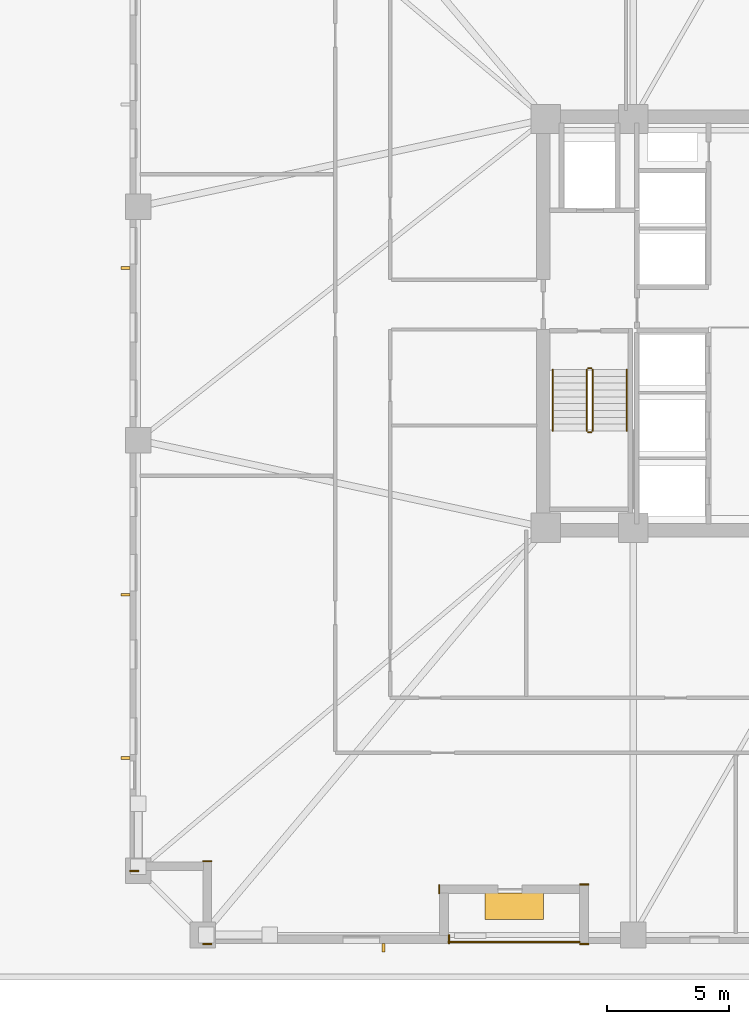
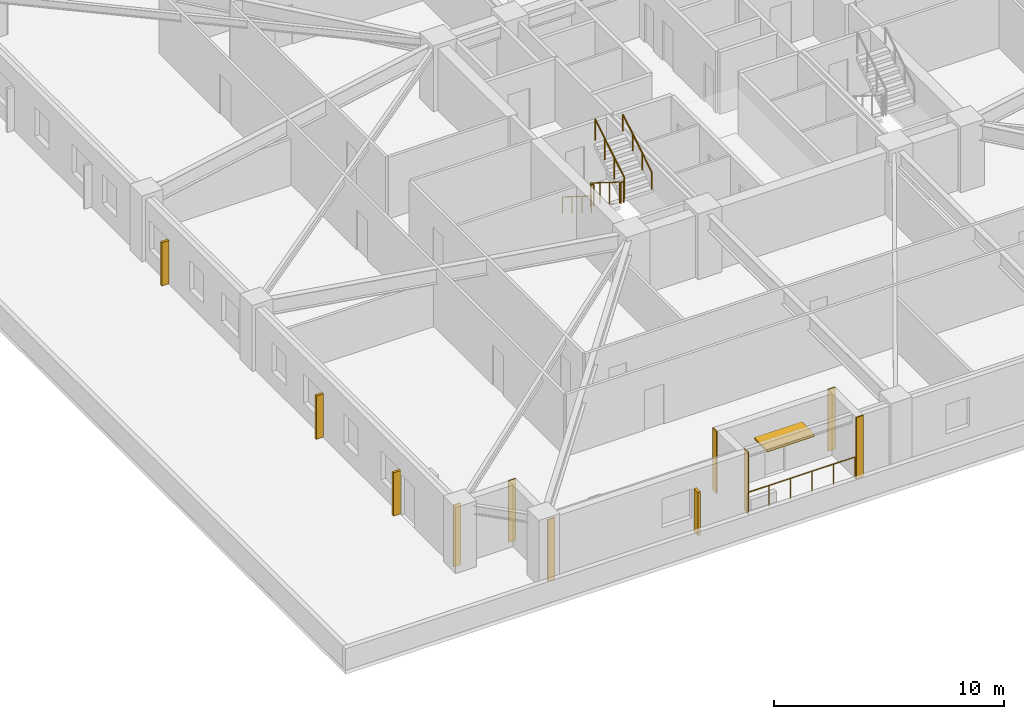
# One storey, part 8 of 12: 7 coverings, 7 railings, 5 shading devices.
"""IFC4 building model written with IfcOpenShell, lengths in metres."""

from ifc_helpers import new_model, si_unit, direction, frame, frame_2d, origin, origin_2d, place, context, subcontext, project, spatial, rectangle, circle, extrude, material, layer, layer_set, type_object, element, save


model = new_model("IFC4")

# Units and contexts
model_context = context("Model", 3, precision=1e-05, world=origin(), true_north=direction((0.0, 1.0)))
body_context = subcontext(model_context, "Body", "Model", "MODEL_VIEW")
ifc_project = project(units=[si_unit("LENGTHUNIT", "METRE"), si_unit("AREAUNIT", "SQUARE_METRE"), si_unit("VOLUMEUNIT", "CUBIC_METRE"), si_unit("PLANEANGLEUNIT", "RADIAN"), si_unit("MASSUNIT", "GRAM", prefix="KILO")], contexts=[model_context])

# Site, building, storey
site_placement = place(None, origin())
site = spatial("IfcSite", under=ifc_project, at=site_placement, CompositionType="ELEMENT")
building_placement = place(site_placement, origin())
building = spatial("IfcBuilding", under=site, at=building_placement, Name="Cairnveth Concourse Tower", CompositionType="ELEMENT")
storey_placement = place(building_placement, frame((0.0, 0.0, 23.5)))
storey = spatial("IfcBuildingStorey", under=building, at=storey_placement, Name="L05", CompositionType="ELEMENT", Elevation=23.5)

# Coverings
ifc_material_1 = material(Name="Dressed Melbourne Bluestone Cladding", Category="masonry")
ifc_layer = layer(ifc_material_1, 0.050048828125)
ifc_layer_set = layer_set([ifc_layer], Name="Dressed Melbourne Bluestone Cladding")
covering_type = type_object("IfcCoveringType", Name="DRESSED BLUESTONE PLINTH CLADDING 50", PredefinedType="CLADDING", material=ifc_layer_set)
for number, where, z_axis, x_axis, name in (
    (1, (39.6201171875, 13.860107421875, 0.0), (0.0, 0.0, 1.0), (0.0, -1.0, 0.0), "Melbourne Bluestone Corner Quoin L05-23"),
    (2, (29.860107421875, 13.47998046875, 0.0), (0.0, 0.0, 1.0), (-1.0, 0.0, 0.0), "Melbourne Bluestone Corner Quoin L05-24"),
    (3, (29.860107421875, 16.8798828125, 0.0), (0.0, 0.0, 1.0), (-1.0, 0.0, 0.0), "Melbourne Bluestone Corner Quoin L05-25"),
    (4, (26.860107421875, 16.47998046875, 0.0), (0.0, 0.0, 1.0), (-1.0, 0.0, 0.0), "Melbourne Bluestone Corner Quoin L05-26"),
    (5, (45.360107421875, 13.47998046875, 0.0), (0.0, 0.0, 1.0), (-1.0, 0.0, 0.0), "Melbourne Bluestone Corner Quoin L05-36"),
    (6, (45.360107421875, 15.929931640625, 0.0), (0.0, 0.0, 1.0), (-1.0, 0.0, 0.0), "Melbourne Bluestone Corner Quoin L05-37"),
):
    element("IfcCovering", number, at=place(storey_placement, frame(where, z_axis=z_axis, x_axis=x_axis)), inside=storey, type_object=covering_type, Name=name, PredefinedType="CLADDING", context=body_context, shape_type="SweptSolid", body=[
        extrude(rectangle(XDim=0.360107421875, YDim=0.050048828125, at=frame_2d((0.18017578125, 0.0))), origin(), (0.0, 0.0, 1.0), 3.280029296875),
    ])
covering_placement = place(storey_placement, frame((39.219970703125, 15.909912109375, 0.0), z_axis=(0.0, 0.0, 1.0), x_axis=(0.0, -1.0, 0.0)))
element("IfcCovering", 7, at=covering_placement, inside=storey, type_object=covering_type, Name="Melbourne Bluestone Corner Quoin L05-38", PredefinedType="CLADDING", context=body_context, shape_type="SweptSolid", body=[
    extrude(rectangle(XDim=0.35986328125, YDim=0.050048828125, at=frame_2d((0.179931640625, 0.0))), origin(), (0.0, 0.0, 1.0), 3.280029296875),
])

# Shading devices
ifc_material_2 = material(Name="Architectural Bronze Anodised Aluminium 6063-T6", Category="aluminium")
shading_device_type_1 = type_object("IfcShadingDeviceType", Name="GOTHIC BRONZE VERTICAL LANCET FIN", PredefinedType="USERDEFINED", material=ifc_material_2)
for number, where, z_axis, x_axis, name in (
    (8, (36.928955078125, 13.324951171875, 0.02978515625), (0.0, 0.0, 1.0), (1.0, 0.0, 0.0), "Gothic Bronze Vertical Fin L05-0-1"),
    (9, (26.324951171875, 21.1201171875, 0.02978515625), (0.0, 0.0, 1.0), (0.0, 1.0, 0.0), "Gothic Bronze Vertical Fin L05-3-1"),
    (10, (26.324951171875, 27.840576171875, 0.02978515625), (0.0, 0.0, 1.0), (0.0, 1.0, 0.0), "Gothic Bronze Vertical Fin L05-3-3"),
    (11, (26.324951171875, 41.28125, 0.02978515625), (0.0, 0.0, 1.0), (0.0, 1.0, 0.0), "Gothic Bronze Vertical Fin L05-3-7"),
):
    element("IfcShadingDevice", number, at=place(storey_placement, frame(where, z_axis=z_axis, x_axis=x_axis)), inside=storey, type_object=shading_device_type_1, Name=name, ObjectType="VERTICAL FIN", PredefinedType="USERDEFINED", context=body_context, shape_type="SweptSolid", body=[
        extrude(rectangle(XDim=0.1201171875, YDim=0.360107421875, at=origin_2d()), origin(), (0.0, 0.0, 1.0), 2.303955078125),
    ])
shading_device_type_2 = type_object("IfcShadingDeviceType", Name="SPIRAL TERRACE SUNSHADE CANOPY", PredefinedType="USERDEFINED", material=ifc_material_2)
shading_device_placement = place(storey_placement, frame((42.300048828125, 15.030029296875, 2.183837890625), z_axis=(0.0, 0.0, 1.0), x_axis=(1.0, 0.0, 0.0)))
element("IfcShadingDevice", 12, at=shading_device_placement, inside=storey, type_object=shading_device_type_2, Name="Spiral Terrace Sunshade L05", ObjectType="TERRACE SUNSHADE", PredefinedType="USERDEFINED", context=body_context, shape_type="SweptSolid", body=[
    extrude(rectangle(XDim=2.39990234375, YDim=1.10009765625, at=origin_2d()), origin(), (0.0, 0.0, 1.0), 0.1201171875),
])

# Railings
ifc_material_3 = material(Name="Steel Grade 350", Category="steel")
railing_type_1 = type_object("IfcRailingType", Name="STAIR GUARDRAIL 1150", PredefinedType="GUARDRAIL", material=ifc_material_3)
railing_1_placement = place(storey_placement, frame((45.2900390625, 37.10009765625, 0.175048828125)))
element("IfcRailing", 13, at=railing_1_placement, inside=storey, type_object=railing_type_1, Name="L05 ST-1 stair guard 1", PredefinedType="GUARDRAIL", context=body_context, shape_type="SweptSolid", body=[
    extrude(circle(Radius=0.02392578125, at=origin_2d()), frame((0.0, 0.0, 1.1259765625), z_axis=(0.0, -0.848007534815, 0.529984170421), x_axis=(1.0, 0.0, 0.0)), (0.0, 0.0, 1.0), 2.9716796875),
    extrude(circle(Radius=0.02099609375, at=origin_2d()), origin(), (0.0, 0.0, 1.0), 1.101806640625),
    extrude(circle(Radius=0.02099609375, at=origin_2d()), frame((0.0, -0.840087890625, 0.52490234375)), (0.0, 0.0, 1.0), 1.101806640625),
    extrude(circle(Radius=0.02099609375, at=origin_2d()), frame((0.0, -1.679931640625, 1.050048828125)), (0.0, 0.0, 1.0), 1.101806640625),
    extrude(circle(Radius=0.02099609375, at=origin_2d()), frame((0.0, -2.52001953125, 1.574951171875)), (0.0, 0.0, 1.0), 1.101806640625),
])
railing_2_placement = place(storey_placement, frame((45.340087890625, 34.530029296875, 1.75)))
element("IfcRailing", 14, at=railing_2_placement, inside=storey, type_object=railing_type_1, Name="L05 ST-1 stair guard 2", PredefinedType="GUARDRAIL", context=body_context, shape_type="SweptSolid", body=[
    extrude(circle(Radius=0.02392578125, at=origin_2d()), frame((0.0, 0.0, 1.1259765625), z_axis=(1.0, 0.0, 0.0), x_axis=(0.0, 1.0, 0.0)), (0.0, 0.0, 1.0), 0.139892578125),
    extrude(circle(Radius=0.02099609375, at=origin_2d()), origin(), (0.0, 0.0, 1.0), 1.101806640625),
    extrude(circle(Radius=0.02099609375, at=origin_2d()), frame((0.139892578125, 0.0, 0.0)), (0.0, 0.0, 1.0), 1.101806640625),
])
railing_3_placement = place(storey_placement, frame((45.530029296875, 34.580078125, 1.925048828125)))
element("IfcRailing", 15, at=railing_3_placement, inside=storey, type_object=railing_type_1, Name="L05 ST-1 stair guard 3", PredefinedType="GUARDRAIL", context=body_context, shape_type="SweptSolid", body=[
    extrude(circle(Radius=0.02392578125, at=origin_2d()), frame((0.0, 0.0, 1.1259765625), z_axis=(0.0, 0.848007534815, 0.529984170421), x_axis=(-1.0, 0.0, 0.0)), (0.0, 0.0, 1.0), 2.9716796875),
    extrude(circle(Radius=0.02099609375, at=origin_2d()), origin(), (0.0, 0.0, 1.0), 1.101806640625),
    extrude(circle(Radius=0.02099609375, at=origin_2d()), frame((0.0, 0.840087890625, 0.52490234375)), (0.0, 0.0, 1.0), 1.101806640625),
    extrude(circle(Radius=0.02099609375, at=origin_2d()), frame((0.0, 1.679931640625, 1.050048828125)), (0.0, 0.0, 1.0), 1.101806640625),
    extrude(circle(Radius=0.02099609375, at=origin_2d()), frame((0.0, 2.52001953125, 1.574951171875)), (0.0, 0.0, 1.0), 1.101806640625),
])
railing_4_placement = place(storey_placement, frame((45.340087890625, 37.14990234375, 0.0)))
element("IfcRailing", 16, at=railing_4_placement, inside=storey, type_object=railing_type_1, Name="L05 ST-1 stair guard 4", PredefinedType="GUARDRAIL", context=body_context, shape_type="SweptSolid", body=[
    extrude(circle(Radius=0.02392578125, at=origin_2d()), frame((0.0, 0.0, 1.1259765625), z_axis=(1.0, 0.0, 0.0), x_axis=(0.0, 1.0, 0.0)), (0.0, 0.0, 1.0), 0.139892578125),
    extrude(circle(Radius=0.02099609375, at=origin_2d()), origin(), (0.0, 0.0, 1.0), 1.101806640625),
    extrude(circle(Radius=0.02099609375, at=origin_2d()), frame((0.139892578125, 0.0, 0.0)), (0.0, 0.0, 1.0), 1.101806640625),
])
railing_type_2 = type_object("IfcRailingType", Name="STAIR WALL HANDRAIL 900", PredefinedType="HANDRAIL", material=ifc_material_3)
railing_5_placement = place(storey_placement, frame((43.889892578125, 37.10009765625, 0.175048828125)))
element("IfcRailing", 17, at=railing_5_placement, inside=storey, type_object=railing_type_2, Name="L05 ST-1 stair handrail 1", PredefinedType="HANDRAIL", context=body_context, shape_type="SweptSolid", body=[
    extrude(circle(Radius=0.02392578125, at=origin_2d()), frame((0.0, 0.0, 0.8759765625), z_axis=(0.0, -0.848007534815, 0.529984170421), x_axis=(1.0, 0.0, 0.0)), (0.0, 0.0, 1.0), 2.9716796875),
    extrude(circle(Radius=0.02099609375, at=origin_2d()), origin(), (0.0, 0.0, 1.0), 0.851806640625),
    extrude(circle(Radius=0.02099609375, at=origin_2d()), frame((0.0, -0.840087890625, 0.52490234375)), (0.0, 0.0, 1.0), 0.851806640625),
    extrude(circle(Radius=0.02099609375, at=origin_2d()), frame((0.0, -1.679931640625, 1.050048828125)), (0.0, 0.0, 1.0), 0.851806640625),
    extrude(circle(Radius=0.02099609375, at=origin_2d()), frame((0.0, -2.52001953125, 1.574951171875)), (0.0, 0.0, 1.0), 0.851806640625),
])
railing_6_placement = place(storey_placement, frame((46.929931640625, 34.580078125, 1.925048828125)))
element("IfcRailing", 18, at=railing_6_placement, inside=storey, type_object=railing_type_2, Name="L05 ST-1 stair handrail 2", PredefinedType="HANDRAIL", context=body_context, shape_type="SweptSolid", body=[
    extrude(circle(Radius=0.02392578125, at=origin_2d()), frame((0.0, 0.0, 0.8759765625), z_axis=(0.0, 0.848007534815, 0.529984170421), x_axis=(-1.0, 0.0, 0.0)), (0.0, 0.0, 1.0), 2.9716796875),
    extrude(circle(Radius=0.02099609375, at=origin_2d()), origin(), (0.0, 0.0, 1.0), 0.851806640625),
    extrude(circle(Radius=0.02099609375, at=origin_2d()), frame((0.0, 0.840087890625, 0.52490234375)), (0.0, 0.0, 1.0), 0.851806640625),
    extrude(circle(Radius=0.02099609375, at=origin_2d()), frame((0.0, 1.679931640625, 1.050048828125)), (0.0, 0.0, 1.0), 0.851806640625),
    extrude(circle(Radius=0.02099609375, at=origin_2d()), frame((0.0, 2.52001953125, 1.574951171875)), (0.0, 0.0, 1.0), 0.851806640625),
])
railing_type_3 = type_object("IfcRailingType", Name="TERRACE BRONZE BALUSTRADE 1150", PredefinedType="BALUSTRADE", material=ifc_material_2)
railing_7_placement = place(storey_placement, frame((39.60009765625, 13.56005859375, 0.0)))
element("IfcRailing", 19, at=railing_7_placement, inside=storey, type_object=railing_type_3, Name="Terrace Balustrade RL-L05-TERR", PredefinedType="BALUSTRADE", context=body_context, shape_type="SweptSolid", body=[
    extrude(circle(Radius=0.02490234375, at=origin_2d()), frame((0.0, 0.0, 1.125), z_axis=(1.0, 0.0, 0.0), x_axis=(0.0, 1.0, 0.0)), (0.0, 0.0, 1.0), 5.39990234375),
    extrude(circle(Radius=0.02099609375, at=origin_2d()), origin(), (0.0, 0.0, 1.0), 1.099853515625),
    extrude(circle(Radius=0.02099609375, at=origin_2d()), frame((1.080078125, 0.0, 0.0)), (0.0, 0.0, 1.0), 1.099853515625),
    extrude(circle(Radius=0.02099609375, at=origin_2d()), frame((2.159912109375, 0.0, 0.0)), (0.0, 0.0, 1.0), 1.099853515625),
    extrude(circle(Radius=0.02099609375, at=origin_2d()), frame((3.239990234375, 0.0, 0.0)), (0.0, 0.0, 1.0), 1.099853515625),
    extrude(circle(Radius=0.02099609375, at=origin_2d()), frame((4.31982421875, 0.0, 0.0)), (0.0, 0.0, 1.0), 1.099853515625),
    extrude(circle(Radius=0.02099609375, at=origin_2d()), frame((5.39990234375, 0.0, 0.0)), (0.0, 0.0, 1.0), 1.099853515625),
])

save(model, "model.ifc")
